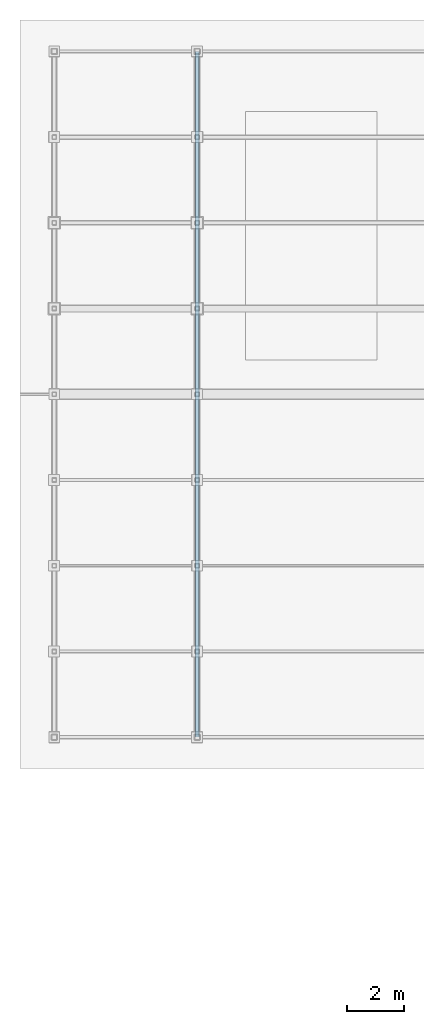
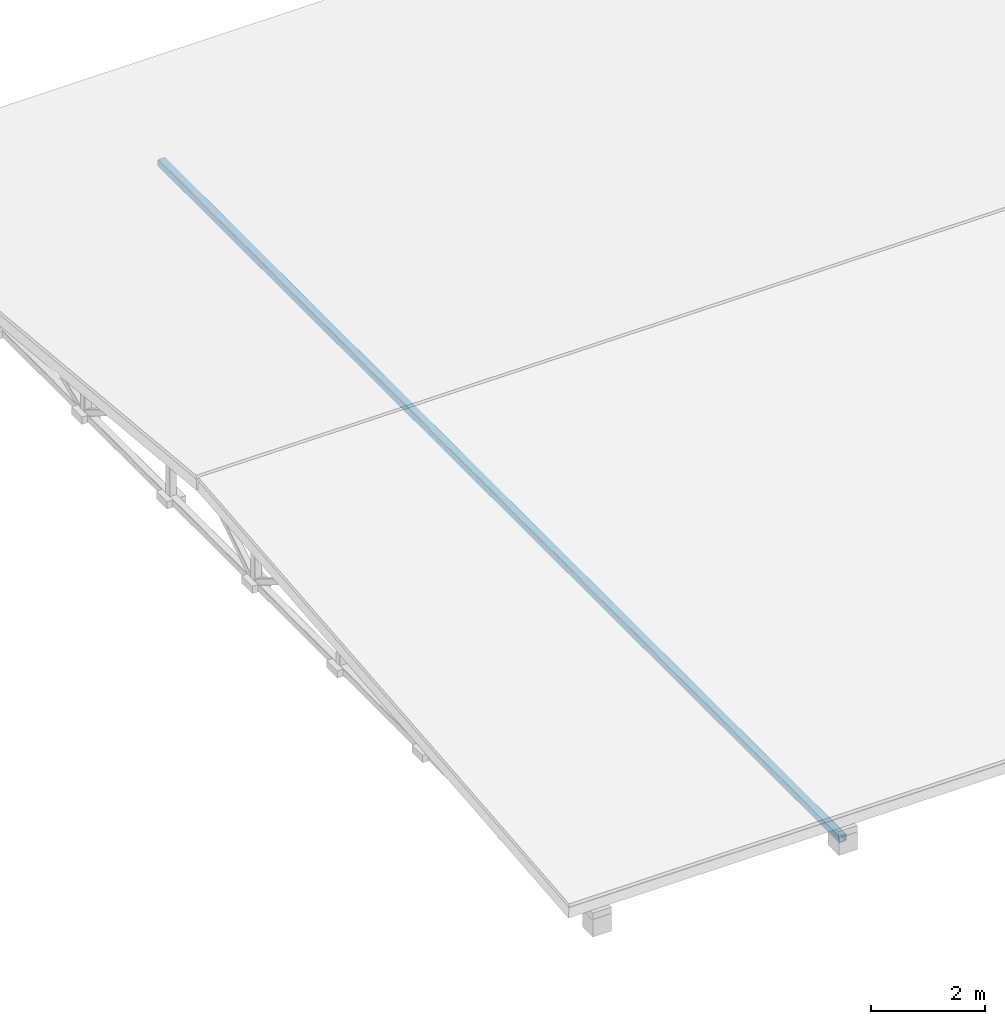
# One storey, part 11 of 25: 1 beam.
"""IFC4 building model written with IfcOpenShell, lengths in metres."""

import ifcopenshell
import ifcopenshell.guid

model = None  # the IFC model being written
_history = None  # IfcOwnerHistory: only IFC2X3 demands one
_inside = {}  # id of a spatial element -> (the spatial element, [elements in it])
_under = {}  # id of a project, library or spatial element -> (it, [spatial elements below it])
_declared = {}  # id of a project -> (the project, [libraries it declares])
_typed = {}  # id of a type object -> (the type object, [elements of that type])
_made_of = {}  # id of a material, layer set ... -> (it, [elements and type objects made of it])


def new_model(schema):
    """Start an empty IFC model of exactly this schema.

    Asked for "IFC4X3", IfcOpenShell would pick the latest addendum, in which some entities
    have other attributes; the version numbers below select the first issue.
    IFC2X3 requires an IfcOwnerHistory on every rooted entity: one is made here for all.
    """
    global model, _history
    if schema == "IFC4X3":
        model = ifcopenshell.file(schema_version=(4, 3, 0, 0))
    else:
        model = ifcopenshell.file(schema=schema)
    _inside.clear()
    _under.clear()
    _declared.clear()
    _typed.clear()
    _made_of.clear()
    _history = None
    if model.schema == "IFC2X3":
        org = make("IfcOrganization", Name="unknown")
        user = make(
            "IfcPersonAndOrganization",
            ThePerson=make("IfcPerson", FamilyName="unknown"),
            TheOrganization=org,
        )
        app = make(
            "IfcApplication",
            ApplicationDeveloper=org,
            Version="unknown",
            ApplicationFullName="unknown",
            ApplicationIdentifier="unknown",
        )
        _history = make(
            "IfcOwnerHistory",
            OwningUser=user,
            OwningApplication=app,
            ChangeAction="ADDED",
            CreationDate=0,
        )
    return model


def make(cls, **values):
    """One entity of the class cls with the attributes given. An attribute that is None is left unset."""
    return model.create_entity(
        cls, **{name: value for name, value in values.items() if value is not None}
    )


def rooted(cls, **values):
    """An entity with a GlobalId (a new one), such as an element, a storey or a relation."""
    return make(cls, GlobalId=ifcopenshell.guid.new(), OwnerHistory=_history, **values)


def si_unit(unit_type, name, prefix=None):
    """IfcSIUnit, for example si_unit("LENGTHUNIT", "METRE", prefix="MILLI")."""
    return make("IfcSIUnit", UnitType=unit_type, Prefix=prefix, Name=name)


def assignment(units):
    """IfcUnitAssignment: the units of a project."""
    return None if units is None else make("IfcUnitAssignment", Units=units)


def point(xyz):
    """IfcCartesianPoint."""
    return None if xyz is None else make("IfcCartesianPoint", Coordinates=xyz)


def direction(xyz):
    """IfcDirection."""
    return None if xyz is None else make("IfcDirection", DirectionRatios=xyz)


def frame(location, z_axis=None, x_axis=None):
    """IfcAxis2Placement3D, a coordinate frame: its origin and axes. An axis left out is left unset."""
    return make(
        "IfcAxis2Placement3D",
        Location=point(location),
        Axis=direction(z_axis),
        RefDirection=direction(x_axis),
    )


def frame_2d(location, x_axis=None):
    """IfcAxis2Placement2D, a coordinate frame in the plane: its origin and x axis."""
    return make(
        "IfcAxis2Placement2D", Location=point(location), RefDirection=direction(x_axis)
    )


def origin():
    """The frame at (0, 0, 0) with its axes left unset."""
    return frame((0.0, 0.0, 0.0))


def origin_2d():
    """The frame at (0, 0) in the plane with its x axis left unset."""
    return frame_2d((0.0, 0.0))


def place(relative_to, where):
    """IfcLocalPlacement: puts the frame where relative to a parent placement (None: the world)."""
    return make(
        "IfcLocalPlacement", PlacementRelTo=relative_to, RelativePlacement=where
    )


def context(
    kind, dimensions, precision=None, world=None, true_north=None, identifier=None
):
    """IfcGeometricRepresentationContext, for example the 3D "Model" context."""
    return make(
        "IfcGeometricRepresentationContext",
        ContextIdentifier=identifier,
        ContextType=kind,
        CoordinateSpaceDimension=dimensions,
        Precision=precision,
        WorldCoordinateSystem=world,
        TrueNorth=true_north,
    )


def subcontext(parent, identifier, kind, view, scale=None):
    """IfcGeometricRepresentationSubContext, for example "Body" below "Model"."""
    return make(
        "IfcGeometricRepresentationSubContext",
        ContextIdentifier=identifier,
        ContextType=kind,
        ParentContext=parent,
        TargetScale=scale,
        TargetView=view,
    )


def project(units=None, contexts=None):
    """IfcProject with its units and contexts."""
    return rooted(
        "IfcProject",
        Name="project",
        RepresentationContexts=contexts,
        UnitsInContext=assignment(units),
    )


def spatial(cls, under=None, at=None, **own):
    """A site, building, storey or space (cls), placed at a placement, below another one or the project."""
    s = rooted(cls, ObjectPlacement=at, **own)
    if under is not None:
        _under.setdefault(under.id(), (under, []))[1].append(s)
    return s


def profile(cls, at=None, kind="AREA", **sizes):
    """A parametric profile (cls). Its sizes go by their IFC names, for example OverallWidth=200.0."""
    return make(cls, ProfileType=kind, Position=at, **sizes)


def hollow_rectangle(**sizes):
    """IfcRectangleHollowProfileDef."""
    return profile("IfcRectangleHollowProfileDef", **sizes)


def extrude(swept, where, along, depth):
    """IfcExtrudedAreaSolid: the profile swept, set in the frame where, extruded along a direction by depth."""
    return make(
        "IfcExtrudedAreaSolid",
        SweptArea=swept,
        Position=where,
        ExtrudedDirection=direction(along),
        Depth=depth,
    )


def shape(context_of_items, identifier, shape_type, items):
    """IfcShapeRepresentation: the items that make up one representation, for example the "Body"."""
    return make(
        "IfcShapeRepresentation",
        ContextOfItems=context_of_items,
        RepresentationIdentifier=identifier,
        RepresentationType=shape_type,
        Items=items,
    )


def material(Name=None, Category=None):
    """IfcMaterial."""
    return make("IfcMaterial", Name=Name, Category=Category)


def material_profile(
    of_material, cross_section, Name=None, Category=None, Priority=None
):
    """IfcMaterialProfile: a cross section and its material."""
    return make(
        "IfcMaterialProfile",
        Name=Name,
        Material=of_material,
        Profile=cross_section,
        Priority=Priority,
        Category=Category,
    )


def profile_set(profiles, Name=None, composite=None):
    """IfcMaterialProfileSet."""
    return make(
        "IfcMaterialProfileSet",
        Name=Name,
        MaterialProfiles=profiles,
        CompositeProfile=composite,
    )


def made_of(thing, what):
    """Note that an element or type object is made of a material, layer set ...; save() writes the relation."""
    if what is not None:
        _made_of.setdefault(what.id(), (what, []))[1].append(thing)
    return thing


def type_object(cls, material=None, **own):
    """A type object (cls), such as IfcWallType, which elements share."""
    return made_of(rooted(cls, **own), material)


def element(
    cls,
    number,
    at=None,
    inside=None,
    cuts=None,
    type_object=None,
    material=None,
    context=None,
    identifier="Body",
    shape_type=None,
    held_by="IfcProductDefinitionShape",
    body=None,
    shapes=None,
    **own,
):
    """One element of the class cls, such as IfcWall. Its Tag is "e" and its number.

    at: its placement. inside: the storey or other place that contains it. cuts: it is an
    opening in that element (IfcRelVoidsElement). A single representation is given by context,
    identifier, shape_type and body (its items); several are given by shapes. held_by: the class
    of the entity that holds the representations. save() writes the other relations.
    """
    e = rooted(cls, Tag="e%d" % number, ObjectPlacement=at, **own)
    if body is not None:
        shapes = [shape(context, identifier, shape_type, body)]
    if shapes is not None:
        e.Representation = make(held_by, Representations=shapes)
    if inside is not None:
        _inside.setdefault(inside.id(), (inside, []))[1].append(e)
    if cuts is not None:
        rooted(
            "IfcRelVoidsElement", RelatingBuildingElement=cuts, RelatedOpeningElement=e
        )
    if type_object is not None:
        _typed.setdefault(type_object.id(), (type_object, []))[1].append(e)
    return made_of(e, material)


def aggregate(whole, parts):
    """IfcRelAggregates: a whole, such as a stair, and the parts it consists of."""
    return rooted("IfcRelAggregates", RelatingObject=whole, RelatedObjects=parts)


def save(model, path):
    """Write the relations noted so far, then the file.

    IfcRelAggregates (storeys below a building ...), IfcRelContainedInSpatialStructure (elements
    in a storey), IfcRelDefinesByType, IfcRelAssociatesMaterial and IfcRelDeclares: one each for
    every whole, place, type object, material and project.
    """
    for whole, parts in _under.values():
        aggregate(whole, parts)
    for where, things in _inside.values():
        rooted(
            "IfcRelContainedInSpatialStructure",
            RelatedElements=things,
            RelatingStructure=where,
        )
    for kind, things in _typed.values():
        rooted("IfcRelDefinesByType", RelatedObjects=things, RelatingType=kind)
    for what, things in _made_of.values():
        rooted("IfcRelAssociatesMaterial", RelatedObjects=things, RelatingMaterial=what)
    for by, libraries in _declared.values():
        rooted("IfcRelDeclares", RelatingContext=by, RelatedDefinitions=libraries)
    model.write(path)


model = new_model("IFC4")

# Units and contexts
model_context = context("Model", 3, precision=1e-05, world=origin(), true_north=direction((0.0, 1.0)))
body_context = subcontext(model_context, "Body", "Model", "MODEL_VIEW")
ifc_project = project(units=[si_unit("LENGTHUNIT", "METRE"), si_unit("AREAUNIT", "SQUARE_METRE"), si_unit("VOLUMEUNIT", "CUBIC_METRE"), si_unit("PLANEANGLEUNIT", "RADIAN"), si_unit("MASSUNIT", "GRAM", prefix="KILO"), si_unit("THERMODYNAMICTEMPERATUREUNIT", "KELVIN"), si_unit("POWERUNIT", "WATT")], contexts=[model_context])

# Site, building, storey
site_placement = place(None, origin())
site = spatial("IfcSite", under=ifc_project, at=site_placement, CompositionType="ELEMENT")
building_placement = place(site_placement, origin())
building = spatial("IfcBuilding", under=site, at=building_placement, Name="Zelmaris Science Centre", CompositionType="ELEMENT")
storey_placement = place(building_placement, frame((0.0, 0.0, 30.0)))
storey = spatial("IfcBuildingStorey", under=building, at=storey_placement, Name="RF", CompositionType="ELEMENT", Elevation=30.0)

# Beam
ifc_material = material(Name="Steel ASTM A500 Grade C", Category="steel")
ifc_material_profile = material_profile(ifc_material, hollow_rectangle(XDim=0.15234375, YDim=0.15234375, WallThickness=0.0087890625, InnerFilletRadius=0.0087890625, OuterFilletRadius=0.017822265625, at=origin_2d()), Name="HSS152X152X10")
ifc_profile_set = profile_set([ifc_material_profile], Name="Steel ASTM A500 Grade C")
beam_type = type_object("IfcBeamType", Name="Beam G-21 HSS152X152X10", PredefinedType="BEAM", material=ifc_profile_set)
beam_placement = place(storey_placement, frame((63.0, 64.0, 0.347412109375), z_axis=(0.0, 1.0, 0.0), x_axis=(-1.0, 0.0, 0.0)))
element("IfcBeam", 1, at=beam_placement, inside=storey, type_object=beam_type, Name="RF-V5 Roof truss 2 bottom chord", PredefinedType="BEAM", context=body_context, shape_type="SweptSolid", body=[
    extrude(hollow_rectangle(XDim=0.15234375, YDim=0.15234375, WallThickness=0.0087890625, InnerFilletRadius=0.0087890625, OuterFilletRadius=0.017822265625, at=origin_2d()), origin(), (0.0, 0.0, 1.0), 24.0),
])

save(model, "model.ifc")
